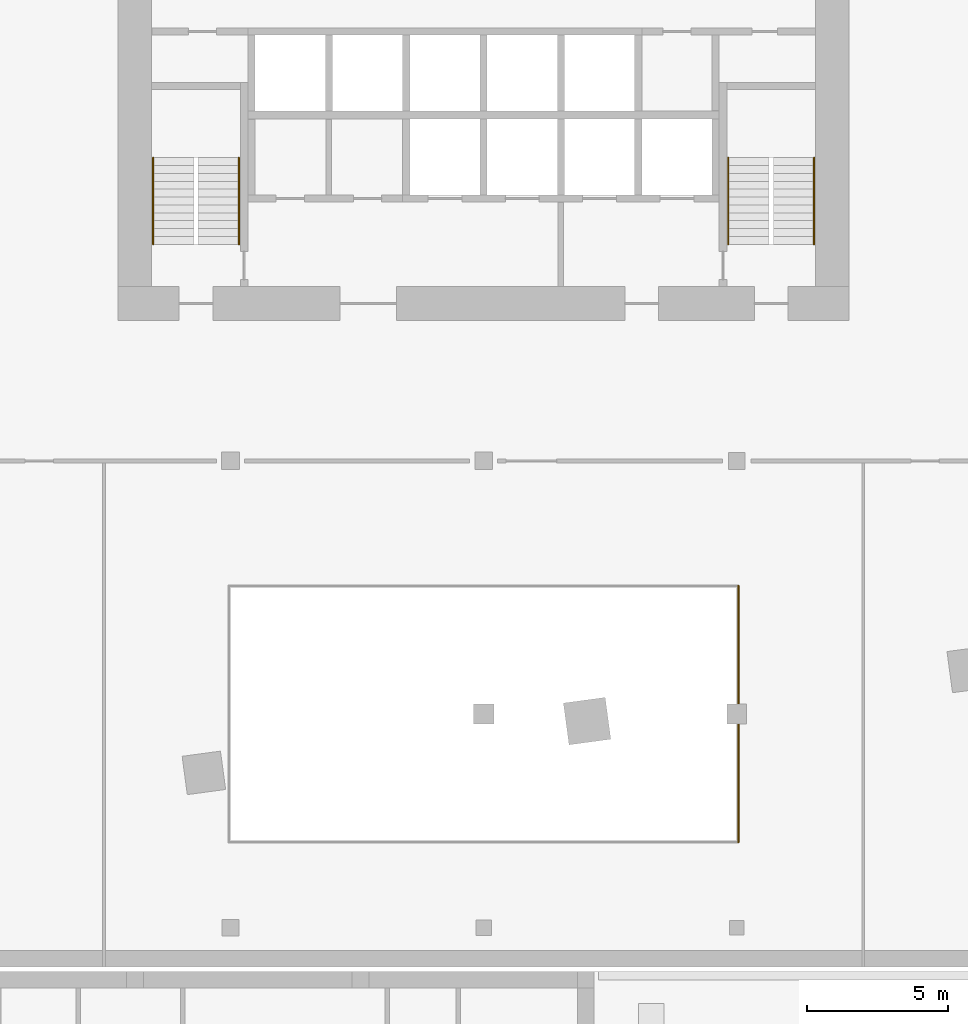
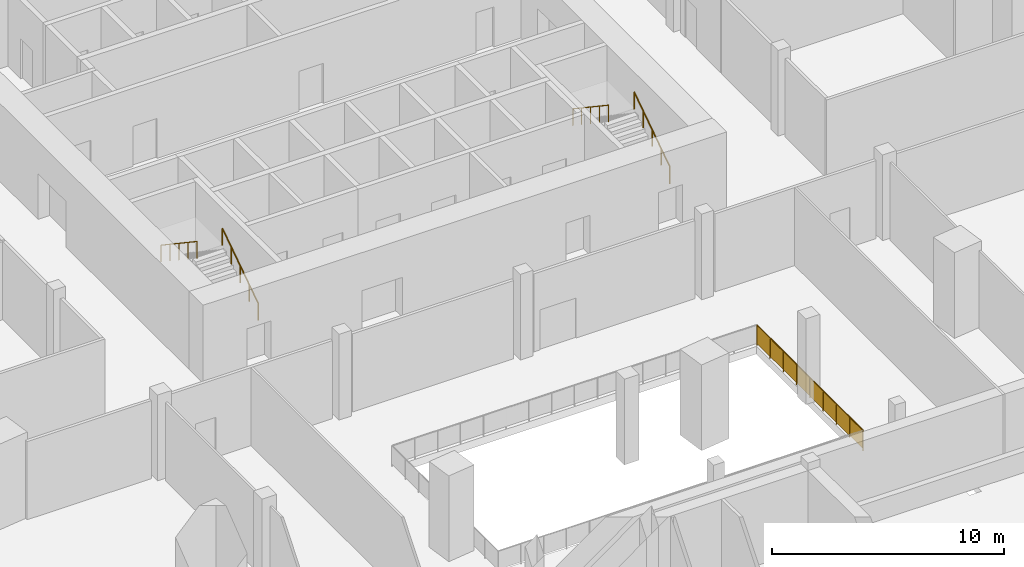
# One storey, part 17 of 20: 5 railings.
"""IFC4 building model written with IfcOpenShell, lengths in metres."""

from ifc_helpers import new_model, si_unit, direction, frame, origin, origin_2d, place, context, subcontext, project, spatial, rectangle, circle, extrude, material, type_object, element, save


model = new_model("IFC4")

# Units and contexts
model_context = context("Model", 3, precision=1e-05, world=origin(), true_north=direction((0.0, 1.0)))
body_context = subcontext(model_context, "Body", "Model", "MODEL_VIEW")
ifc_project = project(units=[si_unit("LENGTHUNIT", "METRE"), si_unit("AREAUNIT", "SQUARE_METRE"), si_unit("VOLUMEUNIT", "CUBIC_METRE"), si_unit("PLANEANGLEUNIT", "RADIAN"), si_unit("MASSUNIT", "GRAM", prefix="KILO")], contexts=[model_context])

# Site, building, storey
site_placement = place(None, origin())
site = spatial("IfcSite", under=ifc_project, at=site_placement, CompositionType="ELEMENT")
building_placement = place(site_placement, origin())
building = spatial("IfcBuilding", under=site, at=building_placement, Name="Dilmun Exchange Tower", CompositionType="ELEMENT")
storey_placement = place(building_placement, frame((0.0, 0.0, 9.0)))
storey = spatial("IfcBuildingStorey", under=building, at=storey_placement, Name="L02", CompositionType="ELEMENT", Elevation=9.0)

# Railings
ifc_material_1 = material(Name="Guard 1100")
railing_type_1 = type_object("IfcRailingType", Name="Guard 1100", PredefinedType="GUARDRAIL", material=ifc_material_1)
railing_1_placement = place(storey_placement, frame((9.06005859375, -31.56005859375, 0.0)))
element("IfcRailing", 1, at=railing_1_placement, inside=storey, type_object=railing_type_1, Name="L02 guard at the exchange hall gallery opening", PredefinedType="GUARDRAIL", context=body_context, shape_type="SweptSolid", body=[
    extrude(circle(Radius=0.02392578125, at=origin_2d()), frame((0.0, 0.0, 1.076171875), z_axis=(0.0, 1.0, 0.0), x_axis=(-1.0, 0.0, 0.0)), (0.0, 0.0, 1.0), 9.1201171875),
    extrude(rectangle(XDim=0.011962890625, YDim=0.951904296875, at=origin_2d()), frame((0.0, 0.0, 0.576171875), z_axis=(0.0, 1.0, 0.0), x_axis=(-1.0, 0.0, 0.0)), (0.0, 0.0, 1.0), 9.1201171875),
    extrude(circle(Radius=0.02099609375, at=origin_2d()), origin(), (0.0, 0.0, 1.0), 1.052001953125),
    extrude(circle(Radius=0.02099609375, at=origin_2d()), frame((0.0, 1.14013671875, 0.0)), (0.0, 0.0, 1.0), 1.052001953125),
    extrude(circle(Radius=0.02099609375, at=origin_2d()), frame((0.0, 2.280029296875, 0.0)), (0.0, 0.0, 1.0), 1.052001953125),
    extrude(circle(Radius=0.02099609375, at=origin_2d()), frame((0.0, 3.419921875, 0.0)), (0.0, 0.0, 1.0), 1.052001953125),
    extrude(circle(Radius=0.02099609375, at=origin_2d()), frame((0.0, 4.56005859375, 0.0)), (0.0, 0.0, 1.0), 1.052001953125),
    extrude(circle(Radius=0.02099609375, at=origin_2d()), frame((0.0, 5.7001953125, 0.0)), (0.0, 0.0, 1.0), 1.052001953125),
    extrude(circle(Radius=0.02099609375, at=origin_2d()), frame((0.0, 6.840087890625, 0.0)), (0.0, 0.0, 1.0), 1.052001953125),
    extrude(circle(Radius=0.02099609375, at=origin_2d()), frame((0.0, 7.97998046875, 0.0)), (0.0, 0.0, 1.0), 1.052001953125),
    extrude(circle(Radius=0.02099609375, at=origin_2d()), frame((0.0, 9.1201171875, 0.0)), (0.0, 0.0, 1.0), 1.052001953125),
])
ifc_material_2 = material(Name="Stainless steel", Category="steel")
railing_type_2 = type_object("IfcRailingType", Name="Stair handrail 900", PredefinedType="HANDRAIL", material=ifc_material_2)
railing_2_placement = place(storey_placement, frame((-8.699951171875, -10.300048828125, 0.1875)))
element("IfcRailing", 2, at=railing_2_placement, inside=storey, type_object=railing_type_2, Name="L02 ST2 stair handrail 1", PredefinedType="HANDRAIL", context=body_context, shape_type="SweptSolid", body=[
    extrude(circle(Radius=0.02392578125, at=origin_2d()), frame((0.0, 0.0, 0.8759765625), z_axis=(0.0, 0.830913701846, 0.55640131208), x_axis=(-1.0, 0.0, 0.0)), (0.0, 0.0, 1.0), 3.706787109375),
    extrude(circle(Radius=0.02099609375, at=origin_2d()), origin(), (0.0, 0.0, 1.0), 0.851806640625),
    extrude(circle(Radius=0.02099609375, at=origin_2d()), frame((0.0, 0.77001953125, 0.515625)), (0.0, 0.0, 1.0), 0.851806640625),
    extrude(circle(Radius=0.02099609375, at=origin_2d()), frame((0.0, 1.5400390625, 1.03125)), (0.0, 0.0, 1.0), 0.851806640625),
    extrude(circle(Radius=0.02099609375, at=origin_2d()), frame((0.0, 2.31005859375, 1.546875)), (0.0, 0.0, 1.0), 0.851806640625),
    extrude(circle(Radius=0.02099609375, at=origin_2d()), frame((0.0, 3.080078125, 2.0625)), (0.0, 0.0, 1.0), 0.851806640625),
])
railing_3_placement = place(storey_placement, frame((-11.75, -7.219970703125, 2.4375)))
element("IfcRailing", 3, at=railing_3_placement, inside=storey, type_object=railing_type_2, Name="L02 ST2 stair handrail 2", PredefinedType="HANDRAIL", context=body_context, shape_type="SweptSolid", body=[
    extrude(circle(Radius=0.02392578125, at=origin_2d()), frame((0.0, 0.0, 0.8759765625), z_axis=(0.0, -0.830913701846, 0.55640131208), x_axis=(1.0, 0.0, 0.0)), (0.0, 0.0, 1.0), 3.706787109375),
    extrude(circle(Radius=0.02099609375, at=origin_2d()), origin(), (0.0, 0.0, 1.0), 0.851806640625),
    extrude(circle(Radius=0.02099609375, at=origin_2d()), frame((0.0, -0.77001953125, 0.515625)), (0.0, 0.0, 1.0), 0.851806640625),
    extrude(circle(Radius=0.02099609375, at=origin_2d()), frame((0.0, -1.5400390625, 1.03125)), (0.0, 0.0, 1.0), 0.851806640625),
    extrude(circle(Radius=0.02099609375, at=origin_2d()), frame((0.0, -2.31005859375, 1.546875)), (0.0, 0.0, 1.0), 0.851806640625),
    extrude(circle(Radius=0.02099609375, at=origin_2d()), frame((0.0, -3.080078125, 2.0625)), (0.0, 0.0, 1.0), 0.851806640625),
])
railing_4_placement = place(storey_placement, frame((11.75, -10.300048828125, 0.1875)))
element("IfcRailing", 4, at=railing_4_placement, inside=storey, type_object=railing_type_2, Name="L02 ST3 stair handrail 1", PredefinedType="HANDRAIL", context=body_context, shape_type="SweptSolid", body=[
    extrude(circle(Radius=0.02392578125, at=origin_2d()), frame((0.0, 0.0, 0.8759765625), z_axis=(0.0, 0.830913701846, 0.55640131208), x_axis=(-1.0, 0.0, 0.0)), (0.0, 0.0, 1.0), 3.706787109375),
    extrude(circle(Radius=0.02099609375, at=origin_2d()), origin(), (0.0, 0.0, 1.0), 0.851806640625),
    extrude(circle(Radius=0.02099609375, at=origin_2d()), frame((0.0, 0.77001953125, 0.515625)), (0.0, 0.0, 1.0), 0.851806640625),
    extrude(circle(Radius=0.02099609375, at=origin_2d()), frame((0.0, 1.5400390625, 1.03125)), (0.0, 0.0, 1.0), 0.851806640625),
    extrude(circle(Radius=0.02099609375, at=origin_2d()), frame((0.0, 2.31005859375, 1.546875)), (0.0, 0.0, 1.0), 0.851806640625),
    extrude(circle(Radius=0.02099609375, at=origin_2d()), frame((0.0, 3.080078125, 2.0625)), (0.0, 0.0, 1.0), 0.851806640625),
])
railing_5_placement = place(storey_placement, frame((8.699951171875, -7.219970703125, 2.4375)))
element("IfcRailing", 5, at=railing_5_placement, inside=storey, type_object=railing_type_2, Name="L02 ST3 stair handrail 2", PredefinedType="HANDRAIL", context=body_context, shape_type="SweptSolid", body=[
    extrude(circle(Radius=0.02392578125, at=origin_2d()), frame((0.0, 0.0, 0.8759765625), z_axis=(0.0, -0.830913701846, 0.55640131208), x_axis=(1.0, 0.0, 0.0)), (0.0, 0.0, 1.0), 3.706787109375),
    extrude(circle(Radius=0.02099609375, at=origin_2d()), origin(), (0.0, 0.0, 1.0), 0.851806640625),
    extrude(circle(Radius=0.02099609375, at=origin_2d()), frame((0.0, -0.77001953125, 0.515625)), (0.0, 0.0, 1.0), 0.851806640625),
    extrude(circle(Radius=0.02099609375, at=origin_2d()), frame((0.0, -1.5400390625, 1.03125)), (0.0, 0.0, 1.0), 0.851806640625),
    extrude(circle(Radius=0.02099609375, at=origin_2d()), frame((0.0, -2.31005859375, 1.546875)), (0.0, 0.0, 1.0), 0.851806640625),
    extrude(circle(Radius=0.02099609375, at=origin_2d()), frame((0.0, -3.080078125, 2.0625)), (0.0, 0.0, 1.0), 0.851806640625),
])

save(model, "model.ifc")
